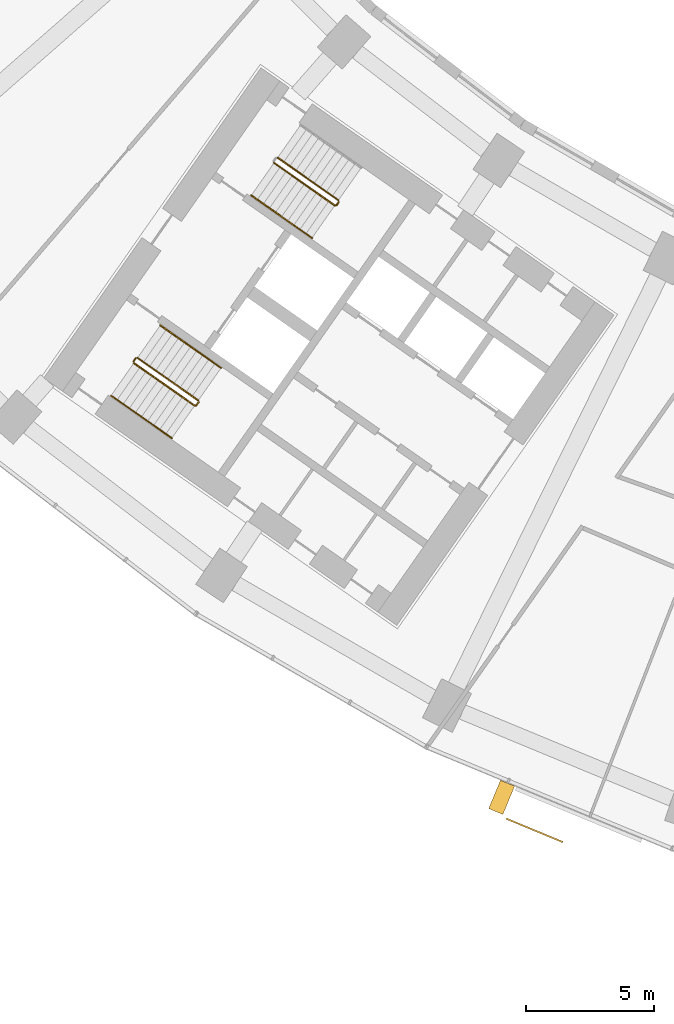
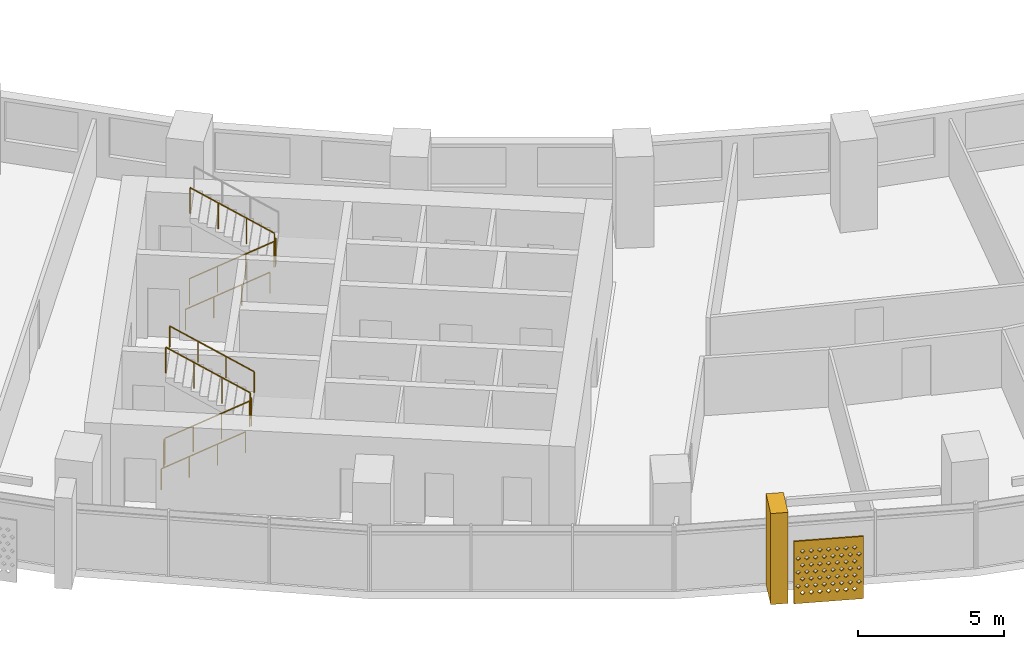
# One storey, part 25 of 31: 8 railings, 2 shading devices.
"""IFC4 building model written with IfcOpenShell, lengths in metres."""

import ifcopenshell
import ifcopenshell.guid

model = None  # the IFC model being written
_history = None  # IfcOwnerHistory: only IFC2X3 demands one
_inside = {}  # id of a spatial element -> (the spatial element, [elements in it])
_under = {}  # id of a project, library or spatial element -> (it, [spatial elements below it])
_declared = {}  # id of a project -> (the project, [libraries it declares])
_typed = {}  # id of a type object -> (the type object, [elements of that type])
_made_of = {}  # id of a material, layer set ... -> (it, [elements and type objects made of it])


def new_model(schema):
    """Start an empty IFC model of exactly this schema.

    Asked for "IFC4X3", IfcOpenShell would pick the latest addendum, in which some entities
    have other attributes; the version numbers below select the first issue.
    IFC2X3 requires an IfcOwnerHistory on every rooted entity: one is made here for all.
    """
    global model, _history
    if schema == "IFC4X3":
        model = ifcopenshell.file(schema_version=(4, 3, 0, 0))
    else:
        model = ifcopenshell.file(schema=schema)
    _inside.clear()
    _under.clear()
    _declared.clear()
    _typed.clear()
    _made_of.clear()
    _history = None
    if model.schema == "IFC2X3":
        org = make("IfcOrganization", Name="unknown")
        user = make(
            "IfcPersonAndOrganization",
            ThePerson=make("IfcPerson", FamilyName="unknown"),
            TheOrganization=org,
        )
        app = make(
            "IfcApplication",
            ApplicationDeveloper=org,
            Version="unknown",
            ApplicationFullName="unknown",
            ApplicationIdentifier="unknown",
        )
        _history = make(
            "IfcOwnerHistory",
            OwningUser=user,
            OwningApplication=app,
            ChangeAction="ADDED",
            CreationDate=0,
        )
    return model


def make(cls, **values):
    """One entity of the class cls with the attributes given. An attribute that is None is left unset."""
    return model.create_entity(
        cls, **{name: value for name, value in values.items() if value is not None}
    )


def rooted(cls, **values):
    """An entity with a GlobalId (a new one), such as an element, a storey or a relation."""
    return make(cls, GlobalId=ifcopenshell.guid.new(), OwnerHistory=_history, **values)


def si_unit(unit_type, name, prefix=None):
    """IfcSIUnit, for example si_unit("LENGTHUNIT", "METRE", prefix="MILLI")."""
    return make("IfcSIUnit", UnitType=unit_type, Prefix=prefix, Name=name)


def assignment(units):
    """IfcUnitAssignment: the units of a project."""
    return None if units is None else make("IfcUnitAssignment", Units=units)


def point(xyz):
    """IfcCartesianPoint."""
    return None if xyz is None else make("IfcCartesianPoint", Coordinates=xyz)


def direction(xyz):
    """IfcDirection."""
    return None if xyz is None else make("IfcDirection", DirectionRatios=xyz)


def frame(location, z_axis=None, x_axis=None):
    """IfcAxis2Placement3D, a coordinate frame: its origin and axes. An axis left out is left unset."""
    return make(
        "IfcAxis2Placement3D",
        Location=point(location),
        Axis=direction(z_axis),
        RefDirection=direction(x_axis),
    )


def frame_2d(location, x_axis=None):
    """IfcAxis2Placement2D, a coordinate frame in the plane: its origin and x axis."""
    return make(
        "IfcAxis2Placement2D", Location=point(location), RefDirection=direction(x_axis)
    )


def origin():
    """The frame at (0, 0, 0) with its axes left unset."""
    return frame((0.0, 0.0, 0.0))


def origin_2d():
    """The frame at (0, 0) in the plane with its x axis left unset."""
    return frame_2d((0.0, 0.0))


def place(relative_to, where):
    """IfcLocalPlacement: puts the frame where relative to a parent placement (None: the world)."""
    return make(
        "IfcLocalPlacement", PlacementRelTo=relative_to, RelativePlacement=where
    )


def context(
    kind, dimensions, precision=None, world=None, true_north=None, identifier=None
):
    """IfcGeometricRepresentationContext, for example the 3D "Model" context."""
    return make(
        "IfcGeometricRepresentationContext",
        ContextIdentifier=identifier,
        ContextType=kind,
        CoordinateSpaceDimension=dimensions,
        Precision=precision,
        WorldCoordinateSystem=world,
        TrueNorth=true_north,
    )


def subcontext(parent, identifier, kind, view, scale=None):
    """IfcGeometricRepresentationSubContext, for example "Body" below "Model"."""
    return make(
        "IfcGeometricRepresentationSubContext",
        ContextIdentifier=identifier,
        ContextType=kind,
        ParentContext=parent,
        TargetScale=scale,
        TargetView=view,
    )


def project(units=None, contexts=None):
    """IfcProject with its units and contexts."""
    return rooted(
        "IfcProject",
        Name="project",
        RepresentationContexts=contexts,
        UnitsInContext=assignment(units),
    )


def spatial(cls, under=None, at=None, **own):
    """A site, building, storey or space (cls), placed at a placement, below another one or the project."""
    s = rooted(cls, ObjectPlacement=at, **own)
    if under is not None:
        _under.setdefault(under.id(), (under, []))[1].append(s)
    return s


def polyline(points):
    """IfcPolyline through the points."""
    return make("IfcPolyline", Points=[point(p) for p in points])


def profile(cls, at=None, kind="AREA", **sizes):
    """A parametric profile (cls). Its sizes go by their IFC names, for example OverallWidth=200.0."""
    return make(cls, ProfileType=kind, Position=at, **sizes)


def circle(**sizes):
    """IfcCircleProfileDef."""
    return profile("IfcCircleProfileDef", **sizes)


def outline(outer, holes=None, kind="AREA"):
    """IfcArbitraryClosedProfileDef: a profile drawn as a closed curve; with holes, ...WithVoids."""
    if holes is None:
        return make("IfcArbitraryClosedProfileDef", ProfileType=kind, OuterCurve=outer)
    return make(
        "IfcArbitraryProfileDefWithVoids",
        ProfileType=kind,
        OuterCurve=outer,
        InnerCurves=holes,
    )


def extrude(swept, where, along, depth):
    """IfcExtrudedAreaSolid: the profile swept, set in the frame where, extruded along a direction by depth."""
    return make(
        "IfcExtrudedAreaSolid",
        SweptArea=swept,
        Position=where,
        ExtrudedDirection=direction(along),
        Depth=depth,
    )


def shape(context_of_items, identifier, shape_type, items):
    """IfcShapeRepresentation: the items that make up one representation, for example the "Body"."""
    return make(
        "IfcShapeRepresentation",
        ContextOfItems=context_of_items,
        RepresentationIdentifier=identifier,
        RepresentationType=shape_type,
        Items=items,
    )


def material(Name=None, Category=None):
    """IfcMaterial."""
    return make("IfcMaterial", Name=Name, Category=Category)


def material_profile(
    of_material, cross_section, Name=None, Category=None, Priority=None
):
    """IfcMaterialProfile: a cross section and its material."""
    return make(
        "IfcMaterialProfile",
        Name=Name,
        Material=of_material,
        Profile=cross_section,
        Priority=Priority,
        Category=Category,
    )


def profile_set(profiles, Name=None, composite=None):
    """IfcMaterialProfileSet."""
    return make(
        "IfcMaterialProfileSet",
        Name=Name,
        MaterialProfiles=profiles,
        CompositeProfile=composite,
    )


def made_of(thing, what):
    """Note that an element or type object is made of a material, layer set ...; save() writes the relation."""
    if what is not None:
        _made_of.setdefault(what.id(), (what, []))[1].append(thing)
    return thing


def type_object(cls, material=None, **own):
    """A type object (cls), such as IfcWallType, which elements share."""
    return made_of(rooted(cls, **own), material)


def element(
    cls,
    number,
    at=None,
    inside=None,
    cuts=None,
    type_object=None,
    material=None,
    context=None,
    identifier="Body",
    shape_type=None,
    held_by="IfcProductDefinitionShape",
    body=None,
    shapes=None,
    **own,
):
    """One element of the class cls, such as IfcWall. Its Tag is "e" and its number.

    at: its placement. inside: the storey or other place that contains it. cuts: it is an
    opening in that element (IfcRelVoidsElement). A single representation is given by context,
    identifier, shape_type and body (its items); several are given by shapes. held_by: the class
    of the entity that holds the representations. save() writes the other relations.
    """
    e = rooted(cls, Tag="e%d" % number, ObjectPlacement=at, **own)
    if body is not None:
        shapes = [shape(context, identifier, shape_type, body)]
    if shapes is not None:
        e.Representation = make(held_by, Representations=shapes)
    if inside is not None:
        _inside.setdefault(inside.id(), (inside, []))[1].append(e)
    if cuts is not None:
        rooted(
            "IfcRelVoidsElement", RelatingBuildingElement=cuts, RelatedOpeningElement=e
        )
    if type_object is not None:
        _typed.setdefault(type_object.id(), (type_object, []))[1].append(e)
    return made_of(e, material)


def aggregate(whole, parts):
    """IfcRelAggregates: a whole, such as a stair, and the parts it consists of."""
    return rooted("IfcRelAggregates", RelatingObject=whole, RelatedObjects=parts)


def save(model, path):
    """Write the relations noted so far, then the file.

    IfcRelAggregates (storeys below a building ...), IfcRelContainedInSpatialStructure (elements
    in a storey), IfcRelDefinesByType, IfcRelAssociatesMaterial and IfcRelDeclares: one each for
    every whole, place, type object, material and project.
    """
    for whole, parts in _under.values():
        aggregate(whole, parts)
    for where, things in _inside.values():
        rooted(
            "IfcRelContainedInSpatialStructure",
            RelatedElements=things,
            RelatingStructure=where,
        )
    for kind, things in _typed.values():
        rooted("IfcRelDefinesByType", RelatedObjects=things, RelatingType=kind)
    for what, things in _made_of.values():
        rooted("IfcRelAssociatesMaterial", RelatedObjects=things, RelatingMaterial=what)
    for by, libraries in _declared.values():
        rooted("IfcRelDeclares", RelatingContext=by, RelatedDefinitions=libraries)
    model.write(path)


model = new_model("IFC4")

# Units and contexts
model_context = context("Model", 3, precision=1e-05, world=origin(), true_north=direction((0.0, 1.0)))
body_context = subcontext(model_context, "Body", "Model", "MODEL_VIEW")
ifc_project = project(units=[si_unit("LENGTHUNIT", "METRE"), si_unit("AREAUNIT", "SQUARE_METRE"), si_unit("VOLUMEUNIT", "CUBIC_METRE"), si_unit("PLANEANGLEUNIT", "RADIAN"), si_unit("MASSUNIT", "GRAM", prefix="KILO")], contexts=[model_context])

# Site, building, storey
site_placement = place(None, origin())
site = spatial("IfcSite", under=ifc_project, at=site_placement, CompositionType="ELEMENT")
building_placement = place(site_placement, origin())
building = spatial("IfcBuilding", under=site, at=building_placement, Name="Qamariyya Broadcast Tower", CompositionType="ELEMENT")
storey_placement = place(building_placement, frame((0.0, 0.0, 82.300048828125)))
storey = spatial("IfcBuildingStorey", under=building, at=storey_placement, Name="L17", CompositionType="ELEMENT", Elevation=82.300048828125)

# Shading devices
ifc_material_1 = material(Name="Steel S355 powder coated deep red", Category="steel")
shading_device_type_1 = type_object("IfcShadingDeviceType", Name="Deep red frame, powder coated steel box section", PredefinedType="USERDEFINED", material=ifc_material_1)
shading_device_1_placement = place(storey_placement, origin())
element("IfcShadingDevice", 1, at=shading_device_1_placement, inside=storey, type_object=shading_device_type_1, Name="e-frm-B1-F2-postb-L17", ObjectType="FRAME", PredefinedType="USERDEFINED", context=body_context, shape_type="SweptSolid", body=[
    extrude(outline(polyline([(-32.296875, -72.650146484375), (-32.756103515625, -73.7587890625), (-32.201904296875, -73.98828125), (-31.74267578125, -72.879638671875), (-32.296875, -72.650146484375)])), origin(), (0.0, 0.0, 1.0), 3.800048828125),
])
ifc_material_2 = material(Name="Perforated glazed terracotta", Category="masonry")
ifc_material_profile = material_profile(ifc_material_2, outline(polyline([(-1.199951171875, -1.300048828125), (1.199951171875, -1.300048828125), (1.199951171875, 1.300048828125), (-1.199951171875, 1.300048828125), (-1.199951171875, -1.300048828125)]), holes=[polyline([(-0.81494140625, -0.86669921875), (-0.89990234375, -0.78173828125), (-0.985107421875, -0.86669921875), (-0.89990234375, -0.95166015625), (-0.81494140625, -0.86669921875)]), polyline([(-0.514892578125, -0.86669921875), (-0.60009765625, -0.78173828125), (-0.68505859375, -0.86669921875), (-0.60009765625, -0.95166015625), (-0.514892578125, -0.86669921875)]), polyline([(-0.215087890625, -0.86669921875), (-0.300048828125, -0.78173828125), (-0.385009765625, -0.86669921875), (-0.300048828125, -0.95166015625), (-0.215087890625, -0.86669921875)]), polyline([(0.0849609375, -0.86669921875), (0.0, -0.78173828125), (-0.0849609375, -0.86669921875), (0.0, -0.95166015625), (0.0849609375, -0.86669921875)]), polyline([(0.385009765625, -0.86669921875), (0.300048828125, -0.78173828125), (0.215087890625, -0.86669921875), (0.300048828125, -0.95166015625), (0.385009765625, -0.86669921875)]), polyline([(0.68505859375, -0.86669921875), (0.60009765625, -0.78173828125), (0.514892578125, -0.86669921875), (0.60009765625, -0.95166015625), (0.68505859375, -0.86669921875)]), polyline([(0.985107421875, -0.86669921875), (0.89990234375, -0.78173828125), (0.81494140625, -0.86669921875), (0.89990234375, -0.95166015625), (0.985107421875, -0.86669921875)]), polyline([(-0.965087890625, -0.577880859375), (-1.050048828125, -0.49267578125), (-1.135009765625, -0.577880859375), (-1.050048828125, -0.662841796875), (-0.965087890625, -0.577880859375)]), polyline([(-0.6650390625, -0.577880859375), (-0.75, -0.49267578125), (-0.8349609375, -0.577880859375), (-0.75, -0.662841796875), (-0.6650390625, -0.577880859375)]), polyline([(-0.364990234375, -0.577880859375), (-0.449951171875, -0.49267578125), (-0.534912109375, -0.577880859375), (-0.449951171875, -0.662841796875), (-0.364990234375, -0.577880859375)]), polyline([(-0.06494140625, -0.577880859375), (-0.14990234375, -0.49267578125), (-0.235107421875, -0.577880859375), (-0.14990234375, -0.662841796875), (-0.06494140625, -0.577880859375)]), polyline([(0.235107421875, -0.577880859375), (0.14990234375, -0.49267578125), (0.06494140625, -0.577880859375), (0.14990234375, -0.662841796875), (0.235107421875, -0.577880859375)]), polyline([(0.534912109375, -0.577880859375), (0.449951171875, -0.49267578125), (0.364990234375, -0.577880859375), (0.449951171875, -0.662841796875), (0.534912109375, -0.577880859375)]), polyline([(0.8349609375, -0.577880859375), (0.75, -0.49267578125), (0.6650390625, -0.577880859375), (0.75, -0.662841796875), (0.8349609375, -0.577880859375)]), polyline([(1.135009765625, -0.577880859375), (1.050048828125, -0.49267578125), (0.965087890625, -0.577880859375), (1.050048828125, -0.662841796875), (1.135009765625, -0.577880859375)]), polyline([(-0.81494140625, -0.288818359375), (-0.89990234375, -0.203857421875), (-0.985107421875, -0.288818359375), (-0.89990234375, -0.373779296875), (-0.81494140625, -0.288818359375)]), polyline([(-0.514892578125, -0.288818359375), (-0.60009765625, -0.203857421875), (-0.68505859375, -0.288818359375), (-0.60009765625, -0.373779296875), (-0.514892578125, -0.288818359375)]), polyline([(-0.215087890625, -0.288818359375), (-0.300048828125, -0.203857421875), (-0.385009765625, -0.288818359375), (-0.300048828125, -0.373779296875), (-0.215087890625, -0.288818359375)]), polyline([(0.0849609375, -0.288818359375), (0.0, -0.203857421875), (-0.0849609375, -0.288818359375), (0.0, -0.373779296875), (0.0849609375, -0.288818359375)]), polyline([(0.385009765625, -0.288818359375), (0.300048828125, -0.203857421875), (0.215087890625, -0.288818359375), (0.300048828125, -0.373779296875), (0.385009765625, -0.288818359375)]), polyline([(0.68505859375, -0.288818359375), (0.60009765625, -0.203857421875), (0.514892578125, -0.288818359375), (0.60009765625, -0.373779296875), (0.68505859375, -0.288818359375)]), polyline([(0.985107421875, -0.288818359375), (0.89990234375, -0.203857421875), (0.81494140625, -0.288818359375), (0.89990234375, -0.373779296875), (0.985107421875, -0.288818359375)]), polyline([(-0.965087890625, 0.0), (-1.050048828125, 0.0849609375), (-1.135009765625, 0.0), (-1.050048828125, -0.0849609375), (-0.965087890625, 0.0)]), polyline([(-0.6650390625, 0.0), (-0.75, 0.0849609375), (-0.8349609375, 0.0), (-0.75, -0.0849609375), (-0.6650390625, 0.0)]), polyline([(-0.364990234375, 0.0), (-0.449951171875, 0.0849609375), (-0.534912109375, 0.0), (-0.449951171875, -0.0849609375), (-0.364990234375, 0.0)]), polyline([(-0.06494140625, 0.0), (-0.14990234375, 0.0849609375), (-0.235107421875, 0.0), (-0.14990234375, -0.0849609375), (-0.06494140625, 0.0)]), polyline([(0.235107421875, 0.0), (0.14990234375, 0.0849609375), (0.06494140625, 0.0), (0.14990234375, -0.0849609375), (0.235107421875, 0.0)]), polyline([(0.534912109375, 0.0), (0.449951171875, 0.0849609375), (0.364990234375, 0.0), (0.449951171875, -0.0849609375), (0.534912109375, 0.0)]), polyline([(0.8349609375, 0.0), (0.75, 0.0849609375), (0.6650390625, 0.0), (0.75, -0.0849609375), (0.8349609375, 0.0)]), polyline([(1.135009765625, 0.0), (1.050048828125, 0.0849609375), (0.965087890625, 0.0), (1.050048828125, -0.0849609375), (1.135009765625, 0.0)]), polyline([(-0.81494140625, 0.288818359375), (-0.89990234375, 0.373779296875), (-0.985107421875, 0.288818359375), (-0.89990234375, 0.203857421875), (-0.81494140625, 0.288818359375)]), polyline([(-0.514892578125, 0.288818359375), (-0.60009765625, 0.373779296875), (-0.68505859375, 0.288818359375), (-0.60009765625, 0.203857421875), (-0.514892578125, 0.288818359375)]), polyline([(-0.215087890625, 0.288818359375), (-0.300048828125, 0.373779296875), (-0.385009765625, 0.288818359375), (-0.300048828125, 0.203857421875), (-0.215087890625, 0.288818359375)]), polyline([(0.0849609375, 0.288818359375), (0.0, 0.373779296875), (-0.0849609375, 0.288818359375), (0.0, 0.203857421875), (0.0849609375, 0.288818359375)]), polyline([(0.385009765625, 0.288818359375), (0.300048828125, 0.373779296875), (0.215087890625, 0.288818359375), (0.300048828125, 0.203857421875), (0.385009765625, 0.288818359375)]), polyline([(0.68505859375, 0.288818359375), (0.60009765625, 0.373779296875), (0.514892578125, 0.288818359375), (0.60009765625, 0.203857421875), (0.68505859375, 0.288818359375)]), polyline([(0.985107421875, 0.288818359375), (0.89990234375, 0.373779296875), (0.81494140625, 0.288818359375), (0.89990234375, 0.203857421875), (0.985107421875, 0.288818359375)]), polyline([(-0.965087890625, 0.577880859375), (-1.050048828125, 0.662841796875), (-1.135009765625, 0.577880859375), (-1.050048828125, 0.49267578125), (-0.965087890625, 0.577880859375)]), polyline([(-0.6650390625, 0.577880859375), (-0.75, 0.662841796875), (-0.8349609375, 0.577880859375), (-0.75, 0.49267578125), (-0.6650390625, 0.577880859375)]), polyline([(-0.364990234375, 0.577880859375), (-0.449951171875, 0.662841796875), (-0.534912109375, 0.577880859375), (-0.449951171875, 0.49267578125), (-0.364990234375, 0.577880859375)]), polyline([(-0.06494140625, 0.577880859375), (-0.14990234375, 0.662841796875), (-0.235107421875, 0.577880859375), (-0.14990234375, 0.49267578125), (-0.06494140625, 0.577880859375)]), polyline([(0.235107421875, 0.577880859375), (0.14990234375, 0.662841796875), (0.06494140625, 0.577880859375), (0.14990234375, 0.49267578125), (0.235107421875, 0.577880859375)]), polyline([(0.534912109375, 0.577880859375), (0.449951171875, 0.662841796875), (0.364990234375, 0.577880859375), (0.449951171875, 0.49267578125), (0.534912109375, 0.577880859375)]), polyline([(0.8349609375, 0.577880859375), (0.75, 0.662841796875), (0.6650390625, 0.577880859375), (0.75, 0.49267578125), (0.8349609375, 0.577880859375)]), polyline([(1.135009765625, 0.577880859375), (1.050048828125, 0.662841796875), (0.965087890625, 0.577880859375), (1.050048828125, 0.49267578125), (1.135009765625, 0.577880859375)]), polyline([(-0.81494140625, 0.86669921875), (-0.89990234375, 0.95166015625), (-0.985107421875, 0.86669921875), (-0.89990234375, 0.78173828125), (-0.81494140625, 0.86669921875)]), polyline([(-0.514892578125, 0.86669921875), (-0.60009765625, 0.95166015625), (-0.68505859375, 0.86669921875), (-0.60009765625, 0.78173828125), (-0.514892578125, 0.86669921875)]), polyline([(-0.215087890625, 0.86669921875), (-0.300048828125, 0.95166015625), (-0.385009765625, 0.86669921875), (-0.300048828125, 0.78173828125), (-0.215087890625, 0.86669921875)]), polyline([(0.0849609375, 0.86669921875), (0.0, 0.95166015625), (-0.0849609375, 0.86669921875), (0.0, 0.78173828125), (0.0849609375, 0.86669921875)]), polyline([(0.385009765625, 0.86669921875), (0.300048828125, 0.95166015625), (0.215087890625, 0.86669921875), (0.300048828125, 0.78173828125), (0.385009765625, 0.86669921875)]), polyline([(0.68505859375, 0.86669921875), (0.60009765625, 0.95166015625), (0.514892578125, 0.86669921875), (0.60009765625, 0.78173828125), (0.68505859375, 0.86669921875)]), polyline([(0.985107421875, 0.86669921875), (0.89990234375, 0.95166015625), (0.81494140625, 0.86669921875), (0.89990234375, 0.78173828125), (0.985107421875, 0.86669921875)])]))
ifc_profile_set = profile_set([ifc_material_profile], Name="Perforated glazed terracotta")
shading_device_type_2 = type_object("IfcShadingDeviceType", Name="Perforated terracotta screen 2400 x 2600", PredefinedType="USERDEFINED", material=ifc_profile_set)
shading_device_2_placement = place(storey_placement, frame((-30.949951171875, -74.582763671875, 1.349853515625), z_axis=(-0.382591441855, -0.923917630863, 0.0), x_axis=(0.923917630863, -0.382591441855, 0.0)))
element("IfcShadingDevice", 2, at=shading_device_2_placement, inside=storey, type_object=shading_device_type_2, Name="e-scr-L17-05-1", ObjectType="SCREEN", PredefinedType="USERDEFINED", context=body_context, shape_type="SweptSolid", body=[
    extrude(outline(polyline([(-1.199951171875, -1.300048828125), (1.199951171875, -1.300048828125), (1.199951171875, 1.300048828125), (-1.199951171875, 1.300048828125), (-1.199951171875, -1.300048828125)]), holes=[polyline([(-0.81494140625, -0.86669921875), (-0.89990234375, -0.78173828125), (-0.985107421875, -0.86669921875), (-0.89990234375, -0.95166015625), (-0.81494140625, -0.86669921875)]), polyline([(-0.514892578125, -0.86669921875), (-0.60009765625, -0.78173828125), (-0.68505859375, -0.86669921875), (-0.60009765625, -0.95166015625), (-0.514892578125, -0.86669921875)]), polyline([(-0.215087890625, -0.86669921875), (-0.300048828125, -0.78173828125), (-0.385009765625, -0.86669921875), (-0.300048828125, -0.95166015625), (-0.215087890625, -0.86669921875)]), polyline([(0.0849609375, -0.86669921875), (0.0, -0.78173828125), (-0.0849609375, -0.86669921875), (0.0, -0.95166015625), (0.0849609375, -0.86669921875)]), polyline([(0.385009765625, -0.86669921875), (0.300048828125, -0.78173828125), (0.215087890625, -0.86669921875), (0.300048828125, -0.95166015625), (0.385009765625, -0.86669921875)]), polyline([(0.68505859375, -0.86669921875), (0.60009765625, -0.78173828125), (0.514892578125, -0.86669921875), (0.60009765625, -0.95166015625), (0.68505859375, -0.86669921875)]), polyline([(0.985107421875, -0.86669921875), (0.89990234375, -0.78173828125), (0.81494140625, -0.86669921875), (0.89990234375, -0.95166015625), (0.985107421875, -0.86669921875)]), polyline([(-0.965087890625, -0.577880859375), (-1.050048828125, -0.49267578125), (-1.135009765625, -0.577880859375), (-1.050048828125, -0.662841796875), (-0.965087890625, -0.577880859375)]), polyline([(-0.6650390625, -0.577880859375), (-0.75, -0.49267578125), (-0.8349609375, -0.577880859375), (-0.75, -0.662841796875), (-0.6650390625, -0.577880859375)]), polyline([(-0.364990234375, -0.577880859375), (-0.449951171875, -0.49267578125), (-0.534912109375, -0.577880859375), (-0.449951171875, -0.662841796875), (-0.364990234375, -0.577880859375)]), polyline([(-0.06494140625, -0.577880859375), (-0.14990234375, -0.49267578125), (-0.235107421875, -0.577880859375), (-0.14990234375, -0.662841796875), (-0.06494140625, -0.577880859375)]), polyline([(0.235107421875, -0.577880859375), (0.14990234375, -0.49267578125), (0.06494140625, -0.577880859375), (0.14990234375, -0.662841796875), (0.235107421875, -0.577880859375)]), polyline([(0.534912109375, -0.577880859375), (0.449951171875, -0.49267578125), (0.364990234375, -0.577880859375), (0.449951171875, -0.662841796875), (0.534912109375, -0.577880859375)]), polyline([(0.8349609375, -0.577880859375), (0.75, -0.49267578125), (0.6650390625, -0.577880859375), (0.75, -0.662841796875), (0.8349609375, -0.577880859375)]), polyline([(1.135009765625, -0.577880859375), (1.050048828125, -0.49267578125), (0.965087890625, -0.577880859375), (1.050048828125, -0.662841796875), (1.135009765625, -0.577880859375)]), polyline([(-0.81494140625, -0.288818359375), (-0.89990234375, -0.203857421875), (-0.985107421875, -0.288818359375), (-0.89990234375, -0.373779296875), (-0.81494140625, -0.288818359375)]), polyline([(-0.514892578125, -0.288818359375), (-0.60009765625, -0.203857421875), (-0.68505859375, -0.288818359375), (-0.60009765625, -0.373779296875), (-0.514892578125, -0.288818359375)]), polyline([(-0.215087890625, -0.288818359375), (-0.300048828125, -0.203857421875), (-0.385009765625, -0.288818359375), (-0.300048828125, -0.373779296875), (-0.215087890625, -0.288818359375)]), polyline([(0.0849609375, -0.288818359375), (0.0, -0.203857421875), (-0.0849609375, -0.288818359375), (0.0, -0.373779296875), (0.0849609375, -0.288818359375)]), polyline([(0.385009765625, -0.288818359375), (0.300048828125, -0.203857421875), (0.215087890625, -0.288818359375), (0.300048828125, -0.373779296875), (0.385009765625, -0.288818359375)]), polyline([(0.68505859375, -0.288818359375), (0.60009765625, -0.203857421875), (0.514892578125, -0.288818359375), (0.60009765625, -0.373779296875), (0.68505859375, -0.288818359375)]), polyline([(0.985107421875, -0.288818359375), (0.89990234375, -0.203857421875), (0.81494140625, -0.288818359375), (0.89990234375, -0.373779296875), (0.985107421875, -0.288818359375)]), polyline([(-0.965087890625, 0.0), (-1.050048828125, 0.0849609375), (-1.135009765625, 0.0), (-1.050048828125, -0.0849609375), (-0.965087890625, 0.0)]), polyline([(-0.6650390625, 0.0), (-0.75, 0.0849609375), (-0.8349609375, 0.0), (-0.75, -0.0849609375), (-0.6650390625, 0.0)]), polyline([(-0.364990234375, 0.0), (-0.449951171875, 0.0849609375), (-0.534912109375, 0.0), (-0.449951171875, -0.0849609375), (-0.364990234375, 0.0)]), polyline([(-0.06494140625, 0.0), (-0.14990234375, 0.0849609375), (-0.235107421875, 0.0), (-0.14990234375, -0.0849609375), (-0.06494140625, 0.0)]), polyline([(0.235107421875, 0.0), (0.14990234375, 0.0849609375), (0.06494140625, 0.0), (0.14990234375, -0.0849609375), (0.235107421875, 0.0)]), polyline([(0.534912109375, 0.0), (0.449951171875, 0.0849609375), (0.364990234375, 0.0), (0.449951171875, -0.0849609375), (0.534912109375, 0.0)]), polyline([(0.8349609375, 0.0), (0.75, 0.0849609375), (0.6650390625, 0.0), (0.75, -0.0849609375), (0.8349609375, 0.0)]), polyline([(1.135009765625, 0.0), (1.050048828125, 0.0849609375), (0.965087890625, 0.0), (1.050048828125, -0.0849609375), (1.135009765625, 0.0)]), polyline([(-0.81494140625, 0.288818359375), (-0.89990234375, 0.373779296875), (-0.985107421875, 0.288818359375), (-0.89990234375, 0.203857421875), (-0.81494140625, 0.288818359375)]), polyline([(-0.514892578125, 0.288818359375), (-0.60009765625, 0.373779296875), (-0.68505859375, 0.288818359375), (-0.60009765625, 0.203857421875), (-0.514892578125, 0.288818359375)]), polyline([(-0.215087890625, 0.288818359375), (-0.300048828125, 0.373779296875), (-0.385009765625, 0.288818359375), (-0.300048828125, 0.203857421875), (-0.215087890625, 0.288818359375)]), polyline([(0.0849609375, 0.288818359375), (0.0, 0.373779296875), (-0.0849609375, 0.288818359375), (0.0, 0.203857421875), (0.0849609375, 0.288818359375)]), polyline([(0.385009765625, 0.288818359375), (0.300048828125, 0.373779296875), (0.215087890625, 0.288818359375), (0.300048828125, 0.203857421875), (0.385009765625, 0.288818359375)]), polyline([(0.68505859375, 0.288818359375), (0.60009765625, 0.373779296875), (0.514892578125, 0.288818359375), (0.60009765625, 0.203857421875), (0.68505859375, 0.288818359375)]), polyline([(0.985107421875, 0.288818359375), (0.89990234375, 0.373779296875), (0.81494140625, 0.288818359375), (0.89990234375, 0.203857421875), (0.985107421875, 0.288818359375)]), polyline([(-0.965087890625, 0.577880859375), (-1.050048828125, 0.662841796875), (-1.135009765625, 0.577880859375), (-1.050048828125, 0.49267578125), (-0.965087890625, 0.577880859375)]), polyline([(-0.6650390625, 0.577880859375), (-0.75, 0.662841796875), (-0.8349609375, 0.577880859375), (-0.75, 0.49267578125), (-0.6650390625, 0.577880859375)]), polyline([(-0.364990234375, 0.577880859375), (-0.449951171875, 0.662841796875), (-0.534912109375, 0.577880859375), (-0.449951171875, 0.49267578125), (-0.364990234375, 0.577880859375)]), polyline([(-0.06494140625, 0.577880859375), (-0.14990234375, 0.662841796875), (-0.235107421875, 0.577880859375), (-0.14990234375, 0.49267578125), (-0.06494140625, 0.577880859375)]), polyline([(0.235107421875, 0.577880859375), (0.14990234375, 0.662841796875), (0.06494140625, 0.577880859375), (0.14990234375, 0.49267578125), (0.235107421875, 0.577880859375)]), polyline([(0.534912109375, 0.577880859375), (0.449951171875, 0.662841796875), (0.364990234375, 0.577880859375), (0.449951171875, 0.49267578125), (0.534912109375, 0.577880859375)]), polyline([(0.8349609375, 0.577880859375), (0.75, 0.662841796875), (0.6650390625, 0.577880859375), (0.75, 0.49267578125), (0.8349609375, 0.577880859375)]), polyline([(1.135009765625, 0.577880859375), (1.050048828125, 0.662841796875), (0.965087890625, 0.577880859375), (1.050048828125, 0.49267578125), (1.135009765625, 0.577880859375)]), polyline([(-0.81494140625, 0.86669921875), (-0.89990234375, 0.95166015625), (-0.985107421875, 0.86669921875), (-0.89990234375, 0.78173828125), (-0.81494140625, 0.86669921875)]), polyline([(-0.514892578125, 0.86669921875), (-0.60009765625, 0.95166015625), (-0.68505859375, 0.86669921875), (-0.60009765625, 0.78173828125), (-0.514892578125, 0.86669921875)]), polyline([(-0.215087890625, 0.86669921875), (-0.300048828125, 0.95166015625), (-0.385009765625, 0.86669921875), (-0.300048828125, 0.78173828125), (-0.215087890625, 0.86669921875)]), polyline([(0.0849609375, 0.86669921875), (0.0, 0.95166015625), (-0.0849609375, 0.86669921875), (0.0, 0.78173828125), (0.0849609375, 0.86669921875)]), polyline([(0.385009765625, 0.86669921875), (0.300048828125, 0.95166015625), (0.215087890625, 0.86669921875), (0.300048828125, 0.78173828125), (0.385009765625, 0.86669921875)]), polyline([(0.68505859375, 0.86669921875), (0.60009765625, 0.95166015625), (0.514892578125, 0.86669921875), (0.60009765625, 0.78173828125), (0.68505859375, 0.86669921875)]), polyline([(0.985107421875, 0.86669921875), (0.89990234375, 0.95166015625), (0.81494140625, 0.86669921875), (0.89990234375, 0.78173828125), (0.985107421875, 0.86669921875)])]), origin(), (0.0, 0.0, 1.0), 0.06005859375),
])

# Railings
ifc_material_3 = material(Name="Painted steel", Category="steel")
railing_type_1 = type_object("IfcRailingType", Name="Stair guard", PredefinedType="GUARDRAIL", material=ifc_material_3)
railing_1_placement = place(storey_placement, frame((-41.146728515625, -48.52490234375, 0.172607421875)))
element("IfcRailing", 3, at=railing_1_placement, inside=storey, type_object=railing_type_1, Name="L17 ST-W2 stair guard 1", PredefinedType="GUARDRAIL", context=body_context, shape_type="SweptSolid", body=[
    extrude(circle(Radius=0.02392578125, at=origin_2d()), frame((0.0, 0.0, 1.076171875), z_axis=(0.703770094002, -0.492783725636, 0.511734163933), x_axis=(0.573575343427, 0.819152809562, 0.0)), (0.0, 0.0, 1.0), 3.37548828125),
    extrude(circle(Radius=0.02392578125, at=origin_2d()), frame((2.37548828125, -1.663330078125, 2.80322265625), z_axis=(0.985059694769, 0.172213233351, 0.0), x_axis=(-0.172213233351, 0.985059694769, 0.0)), (0.0, 0.0, 1.0), 0.07080078125),
    extrude(circle(Radius=0.02392578125, at=origin_2d()), frame((2.4453125, -1.651123046875, 2.80322265625), z_axis=(0.572588637393, 0.819842821722, 0.0), x_axis=(-0.819842821722, 0.572588637393, 0.0)), (0.0, 0.0, 1.0), 0.150146484375),
    extrude(circle(Radius=0.02099609375, at=origin_2d()), origin(), (0.0, 0.0, 1.0), 1.052001953125),
    extrude(circle(Radius=0.02099609375, at=origin_2d()), frame((0.791748046875, -0.554443359375, 0.57568359375)), (0.0, 0.0, 1.0), 1.052001953125),
    extrude(circle(Radius=0.02099609375, at=origin_2d()), frame((1.583740234375, -1.10888671875, 1.151611328125)), (0.0, 0.0, 1.0), 1.052001953125),
    extrude(circle(Radius=0.02099609375, at=origin_2d()), frame((2.37548828125, -1.663330078125, 1.727294921875)), (0.0, 0.0, 1.0), 1.052001953125),
    extrude(circle(Radius=0.02099609375, at=origin_2d()), frame((2.4453125, -1.651123046875, 1.727294921875)), (0.0, 0.0, 1.0), 1.052001953125),
    extrude(circle(Radius=0.02099609375, at=origin_2d()), frame((2.53125, -1.528076171875, 1.727294921875)), (0.0, 0.0, 1.0), 1.052001953125),
])
railing_2_placement = place(storey_placement, frame((-38.627685546875, -49.9833984375, 2.07275390625)))
element("IfcRailing", 4, at=railing_2_placement, inside=storey, type_object=railing_type_1, Name="L17 ST-W2 stair guard 2", PredefinedType="GUARDRAIL", context=body_context, shape_type="SweptSolid", body=[
    extrude(circle(Radius=0.02392578125, at=origin_2d()), frame((0.0, 0.0, 1.076171875), z_axis=(-0.703770094002, 0.492783725636, 0.511734163933), x_axis=(-0.573575343427, -0.819152809562, 0.0)), (0.0, 0.0, 1.0), 3.37548828125),
    extrude(circle(Radius=0.02099609375, at=origin_2d()), origin(), (0.0, 0.0, 1.0), 1.052001953125),
    extrude(circle(Radius=0.02099609375, at=origin_2d()), frame((-0.791748046875, 0.554443359375, 0.57568359375)), (0.0, 0.0, 1.0), 1.052001953125),
    extrude(circle(Radius=0.02099609375, at=origin_2d()), frame((-1.583740234375, 1.10888671875, 1.151611328125)), (0.0, 0.0, 1.0), 1.052001953125),
    extrude(circle(Radius=0.02099609375, at=origin_2d()), frame((-2.37548828125, 1.663330078125, 1.727294921875)), (0.0, 0.0, 1.0), 1.052001953125),
])
railing_3_placement = place(storey_placement, frame((-46.624267578125, -56.34765625, 0.172607421875)))
element("IfcRailing", 5, at=railing_3_placement, inside=storey, type_object=railing_type_1, Name="L17 ST-W1 stair guard 1", PredefinedType="GUARDRAIL", context=body_context, shape_type="SweptSolid", body=[
    extrude(circle(Radius=0.02392578125, at=origin_2d()), frame((0.0, 0.0, 1.076171875), z_axis=(0.703745009021, -0.492838488332, 0.511715923826), x_axis=(0.573631830683, 0.819113253969, 0.0)), (0.0, 0.0, 1.0), 3.37548828125),
    extrude(circle(Radius=0.02392578125, at=origin_2d()), frame((2.37548828125, -1.66357421875, 2.80322265625), z_axis=(0.984363469884, 0.176149252506, 0.0), x_axis=(-0.176149252506, 0.984363469884, 0.0)), (0.0, 0.0, 1.0), 0.07080078125),
    extrude(circle(Radius=0.02392578125, at=origin_2d()), frame((2.445068359375, -1.651123046875, 2.80322265625), z_axis=(0.574444878118, 0.818543268254, 0.0), x_axis=(-0.818543268254, 0.574444878118, 0.0)), (0.0, 0.0, 1.0), 0.150146484375),
    extrude(circle(Radius=0.02099609375, at=origin_2d()), origin(), (0.0, 0.0, 1.0), 1.052001953125),
    extrude(circle(Radius=0.02099609375, at=origin_2d()), frame((0.791748046875, -0.554443359375, 0.57568359375)), (0.0, 0.0, 1.0), 1.052001953125),
    extrude(circle(Radius=0.02099609375, at=origin_2d()), frame((1.583740234375, -1.109130859375, 1.151611328125)), (0.0, 0.0, 1.0), 1.052001953125),
    extrude(circle(Radius=0.02099609375, at=origin_2d()), frame((2.37548828125, -1.66357421875, 1.727294921875)), (0.0, 0.0, 1.0), 1.052001953125),
    extrude(circle(Radius=0.02099609375, at=origin_2d()), frame((2.445068359375, -1.651123046875, 1.727294921875)), (0.0, 0.0, 1.0), 1.052001953125),
    extrude(circle(Radius=0.02099609375, at=origin_2d()), frame((2.53125, -1.5283203125, 1.727294921875)), (0.0, 0.0, 1.0), 1.052001953125),
])
railing_4_placement = place(storey_placement, frame((-44.10546875, -57.806396484375, 2.07275390625)))
element("IfcRailing", 6, at=railing_4_placement, inside=storey, type_object=railing_type_1, Name="L17 ST-W1 stair guard 2", PredefinedType="GUARDRAIL", context=body_context, shape_type="SweptSolid", body=[
    extrude(circle(Radius=0.02392578125, at=origin_2d()), frame((0.0, 0.0, 1.076171875), z_axis=(-0.703770094002, 0.492783725636, 0.511734163933), x_axis=(-0.573575343427, -0.819152809562, 0.0)), (0.0, 0.0, 1.0), 3.37548828125),
    extrude(circle(Radius=0.02099609375, at=origin_2d()), origin(), (0.0, 0.0, 1.0), 1.052001953125),
    extrude(circle(Radius=0.02099609375, at=origin_2d()), frame((-0.791748046875, 0.554443359375, 0.57568359375)), (0.0, 0.0, 1.0), 1.052001953125),
    extrude(circle(Radius=0.02099609375, at=origin_2d()), frame((-1.583740234375, 1.10888671875, 1.151611328125)), (0.0, 0.0, 1.0), 1.052001953125),
    extrude(circle(Radius=0.02099609375, at=origin_2d()), frame((-2.37548828125, 1.663330078125, 1.727294921875)), (0.0, 0.0, 1.0), 1.052001953125),
])
railing_5_placement = place(storey_placement, frame((-46.63671875, -56.278076171875, 0.0)))
element("IfcRailing", 7, at=railing_5_placement, inside=storey, type_object=railing_type_1, Name="L17 ST-W1 stair guard 3", PredefinedType="GUARDRAIL", context=body_context, shape_type="SweptSolid", body=[
    extrude(circle(Radius=0.02392578125, at=origin_2d()), frame((0.0, 0.0, 1.076171875), z_axis=(0.574444878118, 0.818543268254, 0.0), x_axis=(-0.818543268254, 0.574444878118, 0.0)), (0.0, 0.0, 1.0), 0.150146484375),
    extrude(circle(Radius=0.02099609375, at=origin_2d()), origin(), (0.0, 0.0, 1.0), 1.052001953125),
    extrude(circle(Radius=0.02099609375, at=origin_2d()), frame((0.086181640625, 0.122802734375, 0.0)), (0.0, 0.0, 1.0), 1.052001953125),
])
ifc_material_4 = material(Name="Stainless steel", Category="steel")
railing_type_2 = type_object("IfcRailingType", Name="Stair handrail", PredefinedType="HANDRAIL", material=ifc_material_4)
railing_6_placement = place(storey_placement, frame((-42.03564453125, -49.79443359375, 0.172607421875)))
element("IfcRailing", 8, at=railing_6_placement, inside=storey, type_object=railing_type_2, Name="L17 ST-W2 stair handrail 1", PredefinedType="HANDRAIL", context=body_context, shape_type="SweptSolid", body=[
    extrude(circle(Radius=0.02392578125, at=origin_2d()), frame((0.0, 0.0, 0.8759765625), z_axis=(0.703745009021, -0.492838488332, 0.511715923826), x_axis=(0.573631830683, 0.819113253969, 0.0)), (0.0, 0.0, 1.0), 3.37548828125),
    extrude(circle(Radius=0.02099609375, at=origin_2d()), origin(), (0.0, 0.0, 1.0), 0.851806640625),
    extrude(circle(Radius=0.02099609375, at=origin_2d()), frame((0.791748046875, -0.554443359375, 0.57568359375)), (0.0, 0.0, 1.0), 0.851806640625),
    extrude(circle(Radius=0.02099609375, at=origin_2d()), frame((1.583740234375, -1.109130859375, 1.151611328125)), (0.0, 0.0, 1.0), 0.851806640625),
    extrude(circle(Radius=0.02099609375, at=origin_2d()), frame((2.37548828125, -1.66357421875, 1.727294921875)), (0.0, 0.0, 1.0), 0.851806640625),
])
railing_7_placement = place(storey_placement, frame((-47.513427734375, -57.617431640625, 0.172607421875)))
element("IfcRailing", 9, at=railing_7_placement, inside=storey, type_object=railing_type_2, Name="L17 ST-W1 stair handrail 1", PredefinedType="HANDRAIL", context=body_context, shape_type="SweptSolid", body=[
    extrude(circle(Radius=0.02392578125, at=origin_2d()), frame((0.0, 0.0, 0.8759765625), z_axis=(0.703770094002, -0.492783725636, 0.511734163933), x_axis=(0.573575343427, 0.819152809562, 0.0)), (0.0, 0.0, 1.0), 3.37548828125),
    extrude(circle(Radius=0.02099609375, at=origin_2d()), origin(), (0.0, 0.0, 1.0), 0.851806640625),
    extrude(circle(Radius=0.02099609375, at=origin_2d()), frame((0.791748046875, -0.554443359375, 0.57568359375)), (0.0, 0.0, 1.0), 0.851806640625),
    extrude(circle(Radius=0.02099609375, at=origin_2d()), frame((1.583740234375, -1.10888671875, 1.151611328125)), (0.0, 0.0, 1.0), 0.851806640625),
    extrude(circle(Radius=0.02099609375, at=origin_2d()), frame((2.37548828125, -1.663330078125, 1.727294921875)), (0.0, 0.0, 1.0), 0.851806640625),
])
railing_8_placement = place(storey_placement, frame((-43.21630859375, -56.53662109375, 2.07275390625)))
element("IfcRailing", 10, at=railing_8_placement, inside=storey, type_object=railing_type_2, Name="L17 ST-W1 stair handrail 2", PredefinedType="HANDRAIL", context=body_context, shape_type="SweptSolid", body=[
    extrude(circle(Radius=0.02392578125, at=origin_2d()), frame((0.0, 0.0, 0.8759765625), z_axis=(-0.703770094002, 0.492783725636, 0.511734163933), x_axis=(-0.573575343427, -0.819152809562, 0.0)), (0.0, 0.0, 1.0), 3.37548828125),
    extrude(circle(Radius=0.02099609375, at=origin_2d()), origin(), (0.0, 0.0, 1.0), 0.851806640625),
    extrude(circle(Radius=0.02099609375, at=origin_2d()), frame((-0.791748046875, 0.554443359375, 0.57568359375)), (0.0, 0.0, 1.0), 0.851806640625),
    extrude(circle(Radius=0.02099609375, at=origin_2d()), frame((-1.583740234375, 1.10888671875, 1.151611328125)), (0.0, 0.0, 1.0), 0.851806640625),
    extrude(circle(Radius=0.02099609375, at=origin_2d()), frame((-2.37548828125, 1.663330078125, 1.727294921875)), (0.0, 0.0, 1.0), 0.851806640625),
])

save(model, "model.ifc")
